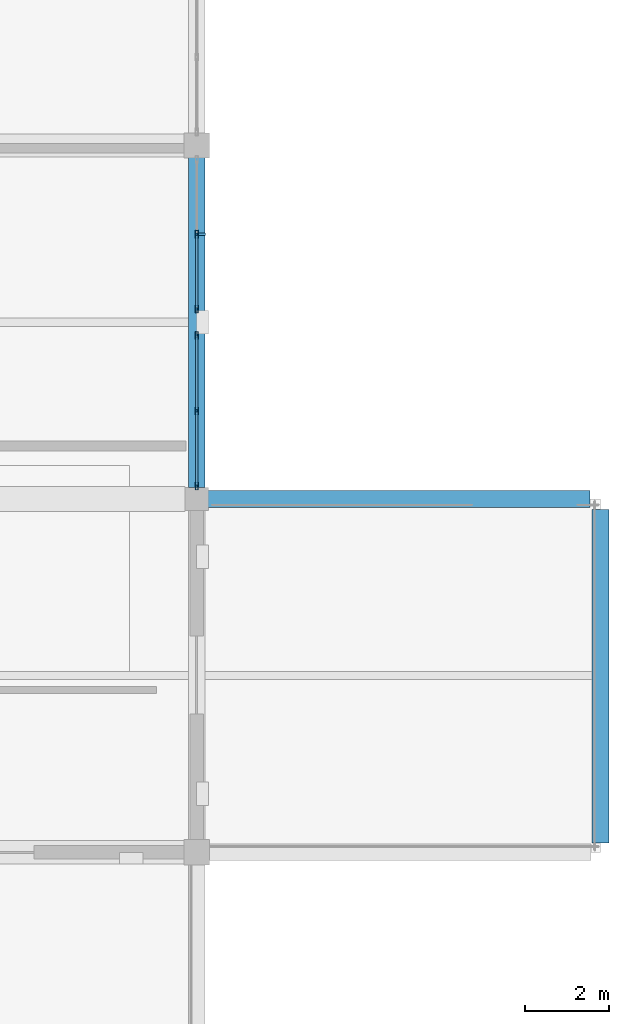
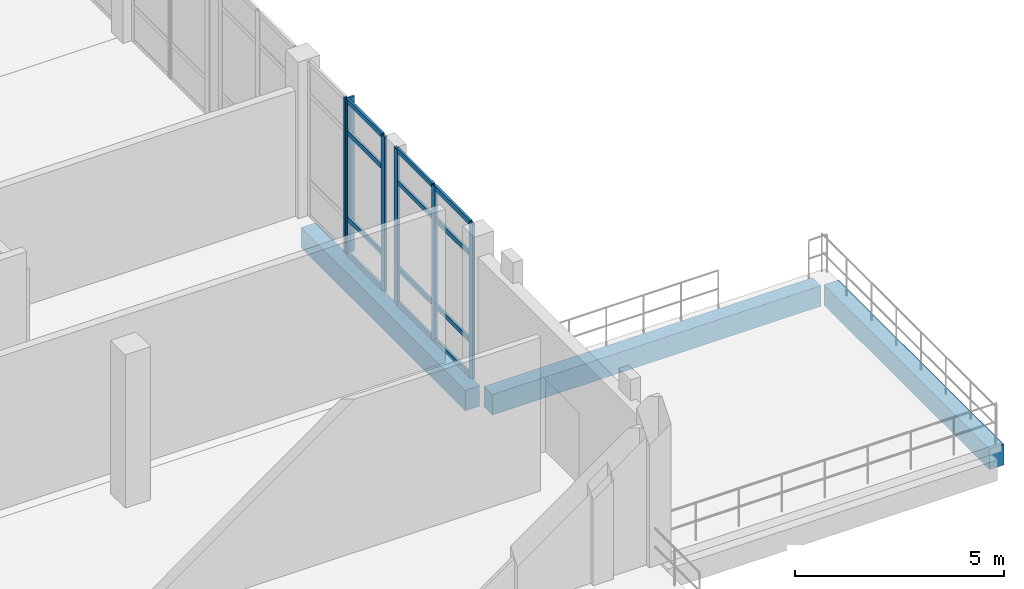
# One storey, part 62 of 102: 18 members, 3 beams, 2 elements without a shape of their own.
"""IFC4 building model written with IfcOpenShell, lengths in metres."""

from ifc_helpers import new_model, si_unit, direction, frame, origin, origin_2d, place, context, subcontext, project, spatial, rectangle, hollow_rectangle, extrude, material, layer, layer_set, material_profile, profile_set, type_object, element, aggregate, save


model = new_model("IFC4")

# Units and contexts
model_context = context("Model", 3, precision=1e-05, world=origin(), true_north=direction((0.0, 1.0)))
body_context = subcontext(model_context, "Body", "Model", "MODEL_VIEW")
ifc_project = project(units=[si_unit("LENGTHUNIT", "METRE"), si_unit("AREAUNIT", "SQUARE_METRE"), si_unit("VOLUMEUNIT", "CUBIC_METRE"), si_unit("PLANEANGLEUNIT", "RADIAN"), si_unit("MASSUNIT", "GRAM", prefix="KILO")], contexts=[model_context])

# Site, building, storey
site_placement = place(None, origin())
site = spatial("IfcSite", under=ifc_project, at=site_placement, CompositionType="ELEMENT")
building_placement = place(site_placement, origin())
building = spatial("IfcBuilding", under=site, at=building_placement, Name="Lornevale Opera House", CompositionType="ELEMENT")
storey_placement = place(building_placement, frame((0.0, 0.0, 5.39990234375)))
storey = spatial("IfcBuildingStorey", under=building, at=storey_placement, Name="L02", CompositionType="ELEMENT", Elevation=5.39990234375)

# Beams
ifc_material_1 = material(Name="Concrete 35 MPa (CSA A23.1 N)", Category="concrete")
ifc_material_profile_1 = material_profile(ifc_material_1, rectangle(XDim=0.39990234375, YDim=0.60009765625, at=origin_2d()), Name="RC400x600")
ifc_profile_set_1 = profile_set([ifc_material_profile_1], Name="Concrete 35 MPa (CSA A23.1 N)")
beam_type = type_object("IfcBeamType", Name="Concrete Spandrel Beam 400x600", PredefinedType="SPANDREL", material=ifc_profile_set_1)
beam_1_placement = place(storey_placement, frame((153.875, 25.199951171875, -0.599853515625), z_axis=(1.0, 0.0, 0.0), x_axis=(0.0, 1.0, 0.0)))
element("IfcBeam", 1, at=beam_1_placement, inside=storey, type_object=beam_type, Name="Concrete Spandrel Beam 400x600 1708", PredefinedType="SPANDREL", context=body_context, shape_type="SweptSolid", body=[
    extrude(rectangle(XDim=0.39990234375, YDim=0.60009765625, at=origin_2d()), origin(), (0.0, 0.0, 1.0), 9.074951171875),
])
beam_2_placement = place(storey_placement, frame((153.60009765625, 25.47509765625, -0.599853515625), z_axis=(0.0, 1.0, 0.0), x_axis=(-1.0, 0.0, 0.0)))
element("IfcBeam", 2, at=beam_2_placement, inside=storey, type_object=beam_type, Name="Concrete Spandrel Beam 400x600 1971", PredefinedType="SPANDREL", context=body_context, shape_type="SweptSolid", body=[
    extrude(rectangle(XDim=0.39990234375, YDim=0.60009765625, at=origin_2d()), origin(), (0.0, 0.0, 1.0), 7.849853515625),
])
beam_3_placement = place(storey_placement, frame((163.199951171875, 17.02490234375, -0.5498046875), z_axis=(0.0, 1.0, 0.0), x_axis=(-1.0, 0.0, 0.0)))
element("IfcBeam", 3, at=beam_3_placement, inside=storey, type_object=beam_type, Name="Concrete Spandrel Beam 400x600 1978", PredefinedType="SPANDREL", context=body_context, shape_type="SweptSolid", body=[
    extrude(rectangle(XDim=0.39990234375, YDim=0.60009765625, at=origin_2d()), origin(), (0.0, 0.0, 1.0), 7.925048828125),
])

# Curtain wall, members
ifc_material_2 = material(Name="Anodized Oxide-Green Aluminium Framing", Category="aluminium")
ifc_layer = layer(ifc_material_2, 0.179931640625)
ifc_layer_set = layer_set([ifc_layer], Name="Anodized Oxide-Green Aluminium Framing")
curtain_wall_type = type_object("IfcCurtainWallType", Name="Promenade Gallery Curtain Wall M1800", PredefinedType="NOTDEFINED", material=ifc_layer_set)
curtain_wall_1_placement = place(storey_placement, origin())
curtain_wall_1 = element("IfcCurtainWall", 4, at=curtain_wall_1_placement, inside=storey, type_object=curtain_wall_type, Name="Promenade Gallery Curtain Wall M1800 CW-080", PredefinedType="NOTDEFINED")
ifc_material_profile_2 = material_profile(ifc_material_2, hollow_rectangle(XDim=0.06494140625, YDim=0.179931640625, WallThickness=0.0048828125, at=origin_2d()), Name="ALU65x180x5")
ifc_profile_set_2 = profile_set([ifc_material_profile_2], Name="Anodized Oxide-Green Aluminium Framing")
member_type_1 = type_object("IfcMemberType", Name="Curtain Wall Mullion 65x180", PredefinedType="MULLION", material=ifc_profile_set_2)
member_1_placement = place(storey_placement, frame((153.60009765625, 31.491943359375, 0.0), z_axis=(0.0, 0.0, 1.0), x_axis=(1.0, 0.0, 0.0)))
member_1 = element("IfcMember", 5, at=member_1_placement, type_object=member_type_1, Name="Curtain Wall Mullion 65x180 CW1617", PredefinedType="MULLION", context=body_context, shape_type="SweptSolid", body=[
    extrude(hollow_rectangle(XDim=0.06494140625, YDim=0.179931640625, WallThickness=0.0048828125, at=origin_2d()), origin(), (0.0, 0.0, 1.0), 4.52001953125),
])
member_2_placement = place(storey_placement, frame((153.60009765625, 29.71240234375, 0.0), z_axis=(0.0, 0.0, 1.0), x_axis=(1.0, 0.0, 0.0)))
member_2 = element("IfcMember", 6, at=member_2_placement, type_object=member_type_1, Name="Curtain Wall Mullion 65x180 CW1618", PredefinedType="MULLION", context=body_context, shape_type="SweptSolid", body=[
    extrude(hollow_rectangle(XDim=0.06494140625, YDim=0.179931640625, WallThickness=0.0048828125, at=origin_2d()), origin(), (0.0, 0.0, 1.0), 4.52001953125),
])

curtain_wall_2_placement = place(storey_placement, origin())
curtain_wall_2 = element("IfcCurtainWall", 7, at=curtain_wall_2_placement, inside=storey, type_object=curtain_wall_type, Name="Promenade Gallery Curtain Wall M1800 CW-081", PredefinedType="NOTDEFINED")
member_3_placement = place(storey_placement, frame((153.60009765625, 29.08740234375, 0.0), z_axis=(0.0, 0.0, 1.0), x_axis=(1.0, 0.0, 0.0)))
member_3 = element("IfcMember", 8, at=member_3_placement, type_object=member_type_1, Name="Curtain Wall Mullion 65x180 CW1633", PredefinedType="MULLION", context=body_context, shape_type="SweptSolid", body=[
    extrude(hollow_rectangle(XDim=0.06494140625, YDim=0.179931640625, WallThickness=0.0048828125, at=origin_2d()), origin(), (0.0, 0.0, 1.0), 4.52001953125),
])
member_4_placement = place(storey_placement, frame((153.60009765625, 27.29541015625, 0.0), z_axis=(0.0, 0.0, 1.0), x_axis=(1.0, 0.0, 0.0)))
member_4 = element("IfcMember", 9, at=member_4_placement, type_object=member_type_1, Name="Curtain Wall Mullion 65x180 CW1634", PredefinedType="MULLION", context=body_context, shape_type="SweptSolid", body=[
    extrude(hollow_rectangle(XDim=0.06494140625, YDim=0.179931640625, WallThickness=0.0048828125, at=origin_2d()), origin(), (0.0, 0.0, 1.0), 4.52001953125),
])
member_5_placement = place(storey_placement, frame((153.60009765625, 25.50341796875, 0.0), z_axis=(0.0, 0.0, 1.0), x_axis=(1.0, 0.0, 0.0)))
member_5 = element("IfcMember", 10, at=member_5_placement, type_object=member_type_1, Name="Curtain Wall Mullion 65x180 CW1635", PredefinedType="MULLION", context=body_context, shape_type="SweptSolid", body=[
    extrude(hollow_rectangle(XDim=0.06494140625, YDim=0.179931640625, WallThickness=0.0048828125, at=origin_2d()), origin(), (0.0, 0.0, 1.0), 4.52001953125),
])

# Member
ifc_material_profile_3 = material_profile(ifc_material_2, hollow_rectangle(XDim=0.06494140625, YDim=0.135009765625, WallThickness=0.00390625, at=origin_2d()), Name="ALU65x135x4")
ifc_profile_set_3 = profile_set([ifc_material_profile_3], Name="Anodized Oxide-Green Aluminium Framing")
member_type_2 = type_object("IfcMemberType", Name="Curtain Wall Transom 65x135", PredefinedType="USERDEFINED", material=ifc_profile_set_3)
member_6_placement = place(storey_placement, frame((153.60009765625, 31.45947265625, 0.03271484375), z_axis=(0.0, -1.0, 0.0), x_axis=(1.0, 0.0, 0.0)))
member_6 = element("IfcMember", 11, at=member_6_placement, type_object=member_type_2, Name="Curtain Wall Transom 65x135 CW1626", ObjectType="TRANSOM", PredefinedType="USERDEFINED", context=body_context, shape_type="SweptSolid", body=[
    extrude(hollow_rectangle(XDim=0.06494140625, YDim=0.135009765625, WallThickness=0.00390625, at=origin_2d()), origin(), (0.0, 0.0, 1.0), 1.71435546875),
])

member_7_placement = place(storey_placement, frame((153.60009765625, 31.45947265625, 1.050048828125), z_axis=(0.0, -1.0, 0.0), x_axis=(1.0, 0.0, 0.0)))
member_7 = element("IfcMember", 12, at=member_7_placement, type_object=member_type_2, Name="Curtain Wall Transom 65x135 CW1627", ObjectType="TRANSOM", PredefinedType="USERDEFINED", context=body_context, shape_type="SweptSolid", body=[
    extrude(hollow_rectangle(XDim=0.06494140625, YDim=0.135009765625, WallThickness=0.00390625, at=origin_2d()), origin(), (0.0, 0.0, 1.0), 1.71435546875),
])

member_8_placement = place(storey_placement, frame((153.60009765625, 31.45947265625, 3.570068359375), z_axis=(0.0, -1.0, 0.0), x_axis=(1.0, 0.0, 0.0)))
member_8 = element("IfcMember", 13, at=member_8_placement, type_object=member_type_2, Name="Curtain Wall Transom 65x135 CW1628", ObjectType="TRANSOM", PredefinedType="USERDEFINED", context=body_context, shape_type="SweptSolid", body=[
    extrude(hollow_rectangle(XDim=0.06494140625, YDim=0.135009765625, WallThickness=0.00390625, at=origin_2d()), origin(), (0.0, 0.0, 1.0), 1.71435546875),
])

member_9_placement = place(storey_placement, frame((153.60009765625, 31.45947265625, 4.487548828125), z_axis=(0.0, -1.0, 0.0), x_axis=(1.0, 0.0, 0.0)))
member_9 = element("IfcMember", 14, at=member_9_placement, type_object=member_type_2, Name="Curtain Wall Transom 65x135 CW1629", ObjectType="TRANSOM", PredefinedType="USERDEFINED", context=body_context, shape_type="SweptSolid", body=[
    extrude(hollow_rectangle(XDim=0.06494140625, YDim=0.135009765625, WallThickness=0.00390625, at=origin_2d()), origin(), (0.0, 0.0, 1.0), 1.71435546875),
])

member_10_placement = place(storey_placement, frame((153.60009765625, 29.054931640625, 0.03271484375), z_axis=(0.0, -1.0, 0.0), x_axis=(1.0, 0.0, 0.0)))
member_10 = element("IfcMember", 15, at=member_10_placement, type_object=member_type_2, Name="Curtain Wall Transom 65x135 CW1636", ObjectType="TRANSOM", PredefinedType="USERDEFINED", context=body_context, shape_type="SweptSolid", body=[
    extrude(hollow_rectangle(XDim=0.06494140625, YDim=0.135009765625, WallThickness=0.00390625, at=origin_2d()), origin(), (0.0, 0.0, 1.0), 1.72705078125),
])

member_11_placement = place(storey_placement, frame((153.60009765625, 29.054931640625, 1.050048828125), z_axis=(0.0, -1.0, 0.0), x_axis=(1.0, 0.0, 0.0)))
member_11 = element("IfcMember", 16, at=member_11_placement, type_object=member_type_2, Name="Curtain Wall Transom 65x135 CW1637", ObjectType="TRANSOM", PredefinedType="USERDEFINED", context=body_context, shape_type="SweptSolid", body=[
    extrude(hollow_rectangle(XDim=0.06494140625, YDim=0.135009765625, WallThickness=0.00390625, at=origin_2d()), origin(), (0.0, 0.0, 1.0), 1.72705078125),
])

member_12_placement = place(storey_placement, frame((153.60009765625, 29.054931640625, 3.570068359375), z_axis=(0.0, -1.0, 0.0), x_axis=(1.0, 0.0, 0.0)))
member_12 = element("IfcMember", 17, at=member_12_placement, type_object=member_type_2, Name="Curtain Wall Transom 65x135 CW1638", ObjectType="TRANSOM", PredefinedType="USERDEFINED", context=body_context, shape_type="SweptSolid", body=[
    extrude(hollow_rectangle(XDim=0.06494140625, YDim=0.135009765625, WallThickness=0.00390625, at=origin_2d()), origin(), (0.0, 0.0, 1.0), 1.72705078125),
])

member_13_placement = place(storey_placement, frame((153.60009765625, 29.054931640625, 4.487548828125), z_axis=(0.0, -1.0, 0.0), x_axis=(1.0, 0.0, 0.0)))
member_13 = element("IfcMember", 18, at=member_13_placement, type_object=member_type_2, Name="Curtain Wall Transom 65x135 CW1639", ObjectType="TRANSOM", PredefinedType="USERDEFINED", context=body_context, shape_type="SweptSolid", body=[
    extrude(hollow_rectangle(XDim=0.06494140625, YDim=0.135009765625, WallThickness=0.00390625, at=origin_2d()), origin(), (0.0, 0.0, 1.0), 1.72705078125),
])

member_14_placement = place(storey_placement, frame((153.60009765625, 27.262939453125, 0.03271484375), z_axis=(0.0, -1.0, 0.0), x_axis=(1.0, 0.0, 0.0)))
member_14 = element("IfcMember", 19, at=member_14_placement, type_object=member_type_2, Name="Curtain Wall Transom 65x135 CW1643", ObjectType="TRANSOM", PredefinedType="USERDEFINED", context=body_context, shape_type="SweptSolid", body=[
    extrude(hollow_rectangle(XDim=0.06494140625, YDim=0.135009765625, WallThickness=0.00390625, at=origin_2d()), origin(), (0.0, 0.0, 1.0), 1.72705078125),
])

member_15_placement = place(storey_placement, frame((153.60009765625, 27.262939453125, 1.050048828125), z_axis=(0.0, -1.0, 0.0), x_axis=(1.0, 0.0, 0.0)))
member_15 = element("IfcMember", 20, at=member_15_placement, type_object=member_type_2, Name="Curtain Wall Transom 65x135 CW1644", ObjectType="TRANSOM", PredefinedType="USERDEFINED", context=body_context, shape_type="SweptSolid", body=[
    extrude(hollow_rectangle(XDim=0.06494140625, YDim=0.135009765625, WallThickness=0.00390625, at=origin_2d()), origin(), (0.0, 0.0, 1.0), 1.72705078125),
])

member_16_placement = place(storey_placement, frame((153.60009765625, 27.262939453125, 3.570068359375), z_axis=(0.0, -1.0, 0.0), x_axis=(1.0, 0.0, 0.0)))
member_16 = element("IfcMember", 21, at=member_16_placement, type_object=member_type_2, Name="Curtain Wall Transom 65x135 CW1645", ObjectType="TRANSOM", PredefinedType="USERDEFINED", context=body_context, shape_type="SweptSolid", body=[
    extrude(hollow_rectangle(XDim=0.06494140625, YDim=0.135009765625, WallThickness=0.00390625, at=origin_2d()), origin(), (0.0, 0.0, 1.0), 1.72705078125),
])

member_17_placement = place(storey_placement, frame((153.60009765625, 27.262939453125, 4.487548828125), z_axis=(0.0, -1.0, 0.0), x_axis=(1.0, 0.0, 0.0)))
member_17 = element("IfcMember", 22, at=member_17_placement, type_object=member_type_2, Name="Curtain Wall Transom 65x135 CW1646", ObjectType="TRANSOM", PredefinedType="USERDEFINED", context=body_context, shape_type="SweptSolid", body=[
    extrude(hollow_rectangle(XDim=0.06494140625, YDim=0.135009765625, WallThickness=0.00390625, at=origin_2d()), origin(), (0.0, 0.0, 1.0), 1.72705078125),
])

aggregate(curtain_wall_2, [member_3, member_4, member_5, member_10, member_11, member_12, member_13, member_14, member_15, member_16, member_17])

ifc_material_3 = material(Name="Architectural Bronze Solar Louvre Alloy", Category="metal")
ifc_material_profile_4 = material_profile(ifc_material_3, rectangle(XDim=0.06005859375, YDim=0.239990234375, at=origin_2d()), Name="FIN60x240")
ifc_profile_set_4 = profile_set([ifc_material_profile_4], Name="Architectural Bronze Solar Louvre Alloy")
member_type_3 = type_object("IfcMemberType", Name="Solar Shading Fin 60x240", PredefinedType="USERDEFINED", material=ifc_profile_set_4)
member_18_placement = place(storey_placement, frame((153.68408203125, 31.491943359375, 0.0), z_axis=(0.0, 0.0, 1.0), x_axis=(0.0, -1.0, 0.0)))
member_18 = element("IfcMember", 23, at=member_18_placement, type_object=member_type_3, Name="Solar Shading Fin 60x240 FIN0035", ObjectType="SOLAR FIN", PredefinedType="USERDEFINED", context=body_context, shape_type="SweptSolid", body=[
    extrude(rectangle(XDim=0.06005859375, YDim=0.239990234375, at=origin_2d()), origin(), (0.0, 0.0, 1.0), 4.52001953125),
])

aggregate(curtain_wall_1, [member_1, member_2, member_6, member_7, member_8, member_9, member_18])

save(model, "model.ifc")
